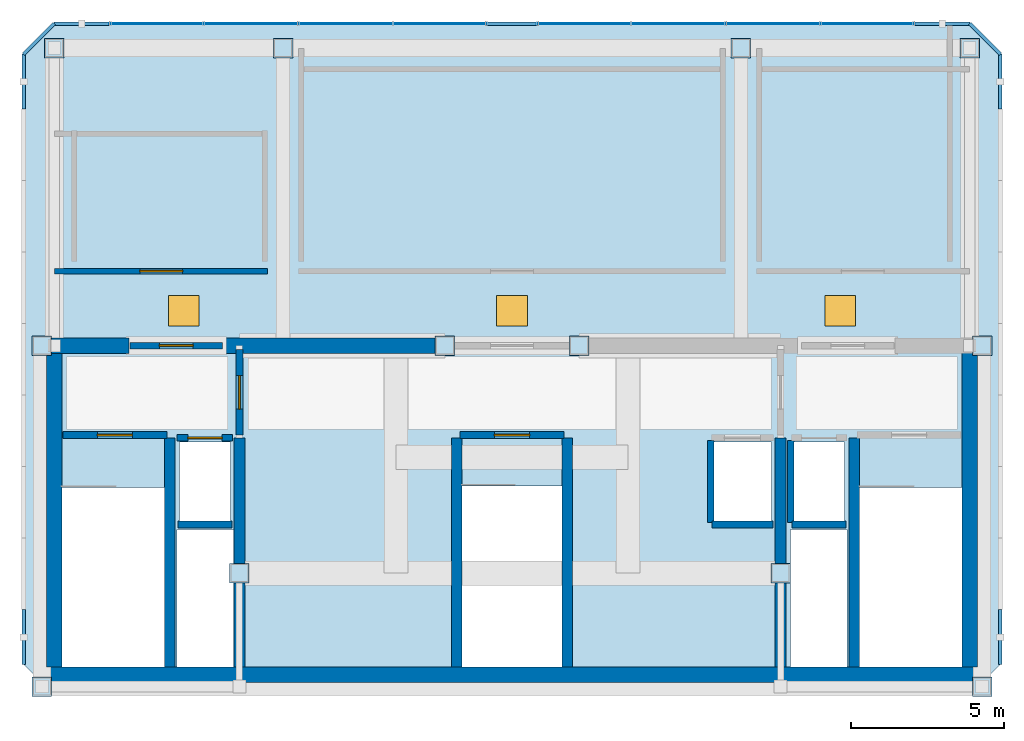
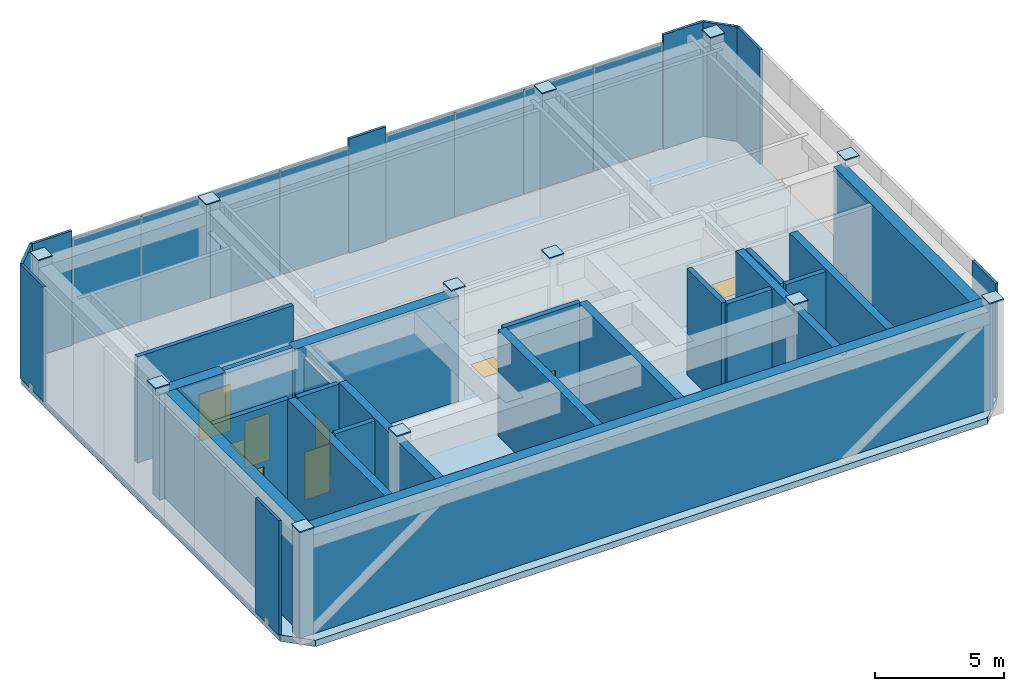
# One storey, part 7 of 9: 29 plates, 22 walls, 9 doors, 1 slab, 9 openings, 2 elements without a shape of their own.
"""IFC4 building model written with IfcOpenShell, lengths in metres."""

from ifc_helpers import new_model, si_unit, direction, frame, frame_2d, origin, origin_2d, place, context, subcontext, project, spatial, polyline, rectangle, outline, extrude, material, layer, layer_set, type_object, element, fill, aggregate, save


model = new_model("IFC4")

# Units and contexts
model_context = context("Model", 3, precision=1e-05, world=origin(), true_north=direction((0.0, 1.0)))
body_context = subcontext(model_context, "Body", "Model", "MODEL_VIEW")
ifc_project = project(units=[si_unit("LENGTHUNIT", "METRE"), si_unit("AREAUNIT", "SQUARE_METRE"), si_unit("VOLUMEUNIT", "CUBIC_METRE"), si_unit("PLANEANGLEUNIT", "RADIAN"), si_unit("MASSUNIT", "GRAM", prefix="KILO")], contexts=[model_context])

# Site, building, storey
site_placement = place(None, origin())
site = spatial("IfcSite", under=ifc_project, at=site_placement, CompositionType="ELEMENT")
building_placement = place(site_placement, origin())
building = spatial("IfcBuilding", under=site, at=building_placement, Name="Ventersveld Concourse Tower", CompositionType="ELEMENT")
storey_placement = place(building_placement, frame((0.0, 0.0, 388.25)))
storey = spatial("IfcBuildingStorey", under=building, at=storey_placement, Name="L94", CompositionType="ELEMENT", Elevation=388.25)

# Curtain wall, plates
ifc_material_1 = material(Name="Anodised aluminium EN AW-6063-T6", Category="aluminium")
curtain_wall_type = type_object("IfcCurtainWallType", Name="CW-CRN-6", PredefinedType="NOTDEFINED", material=ifc_material_1)
curtain_wall_1_placement = place(storey_placement, origin())
curtain_wall_1 = element("IfcCurtainWall", 1, at=curtain_wall_1_placement, inside=storey, type_object=curtain_wall_type, Name="L94 L94 Crown North Glazed Curtain Wall 1", PredefinedType="NOTDEFINED")
ifc_material_2 = material(Name="Low-E double glazing IGU", Category="glass")
ifc_layer_1 = layer(ifc_material_2, 0.02392578125)
ifc_layer_set_1 = layer_set([ifc_layer_1], Name="Low-E double glazing IGU")
plate_type_1 = type_object("IfcPlateType", Name="CWP-GLZ-24", PredefinedType="CURTAIN_PANEL", material=ifc_layer_set_1)
plate_1_placement = place(storey_placement, frame((40.39990234375, 22.0, 0.02001953125), z_axis=(0.0, 0.0, 1.0), x_axis=(-1.0, 0.0, 0.0)))
plate_1 = element("IfcPlate", 2, at=plate_1_placement, type_object=plate_type_1, Name="CW-L94-N1 Glazed Panel 01-1", PredefinedType="CURTAIN_PANEL", context=body_context, shape_type="SweptSolid", body=[
    extrude(rectangle(XDim=3.090087890625, YDim=0.02392578125, at=origin_2d()), origin(), (0.0, 0.0, 1.0), 4.9599609375),
])
plate_2_placement = place(storey_placement, frame((37.300048828125, 22.0, 0.02001953125), z_axis=(0.0, 0.0, 1.0), x_axis=(-1.0, 0.0, 0.0)))
plate_2 = element("IfcPlate", 3, at=plate_2_placement, type_object=plate_type_1, Name="CW-L94-N1 Glazed Panel 02-1", PredefinedType="CURTAIN_PANEL", context=body_context, shape_type="SweptSolid", body=[
    extrude(rectangle(XDim=3.090087890625, YDim=0.02392578125, at=origin_2d()), origin(), (0.0, 0.0, 1.0), 4.9599609375),
])
plate_3_placement = place(storey_placement, frame((34.199951171875, 22.0, 0.02001953125), z_axis=(0.0, 0.0, 1.0), x_axis=(-1.0, 0.0, 0.0)))
plate_3 = element("IfcPlate", 4, at=plate_3_placement, type_object=plate_type_1, Name="CW-L94-N1 Glazed Panel 03-1", PredefinedType="CURTAIN_PANEL", context=body_context, shape_type="SweptSolid", body=[
    extrude(rectangle(XDim=3.090087890625, YDim=0.02392578125, at=origin_2d()), origin(), (0.0, 0.0, 1.0), 4.9599609375),
])
plate_4_placement = place(storey_placement, frame((31.10009765625, 22.0, 0.02001953125), z_axis=(0.0, 0.0, 1.0), x_axis=(-1.0, 0.0, 0.0)))
plate_4 = element("IfcPlate", 5, at=plate_4_placement, type_object=plate_type_1, Name="CW-L94-N1 Glazed Panel 04-1", PredefinedType="CURTAIN_PANEL", context=body_context, shape_type="SweptSolid", body=[
    extrude(rectangle(XDim=3.090087890625, YDim=0.02392578125, at=origin_2d()), origin(), (0.0, 0.0, 1.0), 4.9599609375),
])
aggregate(curtain_wall_1, [plate_1, plate_2, plate_3, plate_4])

curtain_wall_2_placement = place(storey_placement, origin())
curtain_wall_2 = element("IfcCurtainWall", 6, at=curtain_wall_2_placement, inside=storey, type_object=curtain_wall_type, Name="L94 L94 Crown North Glazed Curtain Wall 2", PredefinedType="NOTDEFINED")
plate_5_placement = place(storey_placement, frame((26.39990234375, 22.0, 0.02001953125), z_axis=(0.0, 0.0, 1.0), x_axis=(-1.0, 0.0, 0.0)))
plate_5 = element("IfcPlate", 7, at=plate_5_placement, type_object=plate_type_1, Name="CW-L94-N2 Glazed Panel 01-1", PredefinedType="CURTAIN_PANEL", context=body_context, shape_type="SweptSolid", body=[
    extrude(rectangle(XDim=3.090087890625, YDim=0.02392578125, at=origin_2d()), origin(), (0.0, 0.0, 1.0), 4.9599609375),
])
plate_6_placement = place(storey_placement, frame((23.300048828125, 22.0, 0.02001953125), z_axis=(0.0, 0.0, 1.0), x_axis=(-1.0, 0.0, 0.0)))
plate_6 = element("IfcPlate", 8, at=plate_6_placement, type_object=plate_type_1, Name="CW-L94-N2 Glazed Panel 02-1", PredefinedType="CURTAIN_PANEL", context=body_context, shape_type="SweptSolid", body=[
    extrude(rectangle(XDim=3.090087890625, YDim=0.02392578125, at=origin_2d()), origin(), (0.0, 0.0, 1.0), 4.9599609375),
])
plate_7_placement = place(storey_placement, frame((20.199951171875, 22.0, 0.02001953125), z_axis=(0.0, 0.0, 1.0), x_axis=(-1.0, 0.0, 0.0)))
plate_7 = element("IfcPlate", 9, at=plate_7_placement, type_object=plate_type_1, Name="CW-L94-N2 Glazed Panel 03-1", PredefinedType="CURTAIN_PANEL", context=body_context, shape_type="SweptSolid", body=[
    extrude(rectangle(XDim=3.090087890625, YDim=0.02392578125, at=origin_2d()), origin(), (0.0, 0.0, 1.0), 4.9599609375),
])
plate_8_placement = place(storey_placement, frame((17.10009765625, 22.0, 0.02001953125), z_axis=(0.0, 0.0, 1.0), x_axis=(-1.0, 0.0, 0.0)))
plate_8 = element("IfcPlate", 10, at=plate_8_placement, type_object=plate_type_1, Name="CW-L94-N2 Glazed Panel 04-1", PredefinedType="CURTAIN_PANEL", context=body_context, shape_type="SweptSolid", body=[
    extrude(rectangle(XDim=3.090087890625, YDim=0.02392578125, at=origin_2d()), origin(), (0.0, 0.0, 1.0), 4.9599609375),
])
aggregate(curtain_wall_2, [plate_5, plate_6, plate_7, plate_8])

# Plates
ifc_material_3 = material(Name="Precast concrete C45/55", Category="concrete")
ifc_layer_2 = layer(ifc_material_3, 0.1201171875)
ifc_layer_set_2 = layer_set([ifc_layer_2], Name="Precast concrete C45/55")
plate_type_2 = type_object("IfcPlateType", Name="PL-CLAD-120", PredefinedType="SHEET", material=ifc_layer_set_2)
for number, where, z_axis, x_axis, name in (
    (11, (44.75, 1.89990234375, 0.0), (0.0, 0.0, 1.0), (0.0, 1.0, 0.0), "L94 Crown Precast Pier Cladding E3-P1"),
    (12, (44.75, 20.10009765625, 0.0), (0.0, 0.0, 1.0), (0.0, 1.0, 0.0), "L94 Crown Precast Pier Cladding E3-P2"),
):
    element("IfcPlate", number, at=place(storey_placement, frame(where, z_axis=z_axis, x_axis=x_axis)), inside=storey, type_object=plate_type_2, Name=name, PredefinedType="SHEET", context=body_context, shape_type="SweptSolid", body=[
        extrude(rectangle(XDim=1.800048828125, YDim=0.1201171875, at=origin_2d()), origin(), (0.0, 0.0, 1.0), 5.39990234375),
    ])
plate_9_placement = place(storey_placement, frame((44.25, 21.5, 0.0), z_axis=(0.0, 0.0, 1.0), x_axis=(-0.707106781187, 0.707106781187, 0.0)))
element("IfcPlate", 13, at=plate_9_placement, inside=storey, type_object=plate_type_2, Name="L94 Crown Chamfer Precast Cladding Sheet E4", PredefinedType="SHEET", context=body_context, shape_type="SweptSolid", body=[
    extrude(rectangle(XDim=1.414306640625, YDim=0.1201171875, at=origin_2d()), origin(), (0.0, 0.0, 1.0), 5.39990234375),
])
for number, where, z_axis, x_axis, name in (
    (14, (42.85009765625, 22.0, 0.0), (0.0, 0.0, 1.0), (-1.0, 0.0, 0.0), "L94 Crown Precast Pier Cladding E5-P1"),
    (15, (14.64990234375, 22.0, 0.0), (0.0, 0.0, 1.0), (-1.0, 0.0, 0.0), "L94 Crown Precast Pier Cladding E5-P2"),
):
    element("IfcPlate", number, at=place(storey_placement, frame(where, z_axis=z_axis, x_axis=x_axis)), inside=storey, type_object=plate_type_2, Name=name, PredefinedType="SHEET", context=body_context, shape_type="SweptSolid", body=[
        extrude(rectangle(XDim=1.800048828125, YDim=0.1201171875, at=origin_2d()), origin(), (0.0, 0.0, 1.0), 5.39990234375),
    ])
plate_10_placement = place(storey_placement, frame((28.75, 22.0, 0.0), z_axis=(0.0, 0.0, 1.0), x_axis=(-1.0, 0.0, 0.0)))
element("IfcPlate", 16, at=plate_10_placement, inside=storey, type_object=plate_type_2, Name="L94 Crown Central Cladding Pier", PredefinedType="SHEET", context=body_context, shape_type="SweptSolid", body=[
    extrude(rectangle(XDim=1.64990234375, YDim=0.1201171875, at=origin_2d()), origin(), (0.0, 0.0, 1.0), 5.39990234375),
])
plate_11_placement = place(storey_placement, frame((13.25, 21.5, 0.0), z_axis=(0.0, 0.0, 1.0), x_axis=(-0.707106781187, -0.707106781187, 0.0)))
element("IfcPlate", 17, at=plate_11_placement, inside=storey, type_object=plate_type_2, Name="L94 Crown Chamfer Precast Cladding Sheet E6", PredefinedType="SHEET", context=body_context, shape_type="SweptSolid", body=[
    extrude(rectangle(XDim=1.414306640625, YDim=0.1201171875, at=origin_2d()), origin(), (0.0, 0.0, 1.0), 5.39990234375),
])
for number, where, z_axis, x_axis, name in (
    (18, (12.75, 20.10009765625, 0.0), (0.0, 0.0, 1.0), (0.0, -1.0, 0.0), "L94 Crown Precast Pier Cladding E7-P1"),
    (19, (12.75, 1.89990234375, 0.0), (0.0, 0.0, 1.0), (0.0, -1.0, 0.0), "L94 Crown Precast Pier Cladding E7-P2"),
):
    element("IfcPlate", number, at=place(storey_placement, frame(where, z_axis=z_axis, x_axis=x_axis)), inside=storey, type_object=plate_type_2, Name=name, PredefinedType="SHEET", context=body_context, shape_type="SweptSolid", body=[
        extrude(rectangle(XDim=1.800048828125, YDim=0.1201171875, at=origin_2d()), origin(), (0.0, 0.0, 1.0), 5.39990234375),
    ])
ifc_material_4 = material(Name="Structural steel S355J2", Category="steel")
ifc_layer_3 = layer(ifc_material_4, 0.050048828125)
ifc_layer_set_3 = layer_set([ifc_layer_3], Name="Structural steel S355J2")
plate_type_3 = type_object("IfcPlateType", Name="PL-MAST-BASE-50", PredefinedType="USERDEFINED", material=ifc_layer_set_3)
for number, where, z_axis, x_axis, name in (
    (20, (13.35009765625, 0.280029296875, 5.35009765625), (0.0, 0.0, 1.0), (1.0, 0.0, 0.0), "L94 Hollow Column Steel End Cap Plate 041"),
    (21, (44.14990234375, 0.280029296875, 5.35009765625), (0.0, 0.0, 1.0), (1.0, 0.0, 0.0), "L94 Hollow Column Steel End Cap Plate 042"),
    (22, (13.35009765625, 11.449951171875, 5.35009765625), (0.0, 0.0, 1.0), (1.0, 0.0, 0.0), "L94 Hollow Column Steel End Cap Plate 043"),
    (23, (44.14990234375, 11.449951171875, 5.35009765625), (0.0, 0.0, 1.0), (1.0, 0.0, 0.0), "L94 Hollow Column Steel End Cap Plate 044"),
    (24, (19.820068359375, 4.0, 5.35009765625), (0.0, 0.0, 1.0), (1.0, 0.0, 0.0), "L94 Hollow Column Steel End Cap Plate 045"),
    (25, (37.550048828125, 4.0, 5.35009765625), (0.0, 0.0, 1.0), (1.0, 0.0, 0.0), "L94 Hollow Column Steel End Cap Plate 046"),
    (26, (26.550048828125, 11.449951171875, 5.35009765625), (0.0, 0.0, 1.0), (1.0, 0.0, 0.0), "L94 Hollow Column Steel End Cap Plate 047"),
    (27, (30.949951171875, 11.449951171875, 5.35009765625), (0.0, 0.0, 1.0), (1.0, 0.0, 0.0), "L94 Hollow Column Steel End Cap Plate 048"),
    (28, (13.75, 21.199951171875, 5.35009765625), (0.0, 0.0, 1.0), (1.0, 0.0, 0.0), "L94 Hollow Column Steel End Cap Plate 049"),
    (29, (21.25, 21.199951171875, 5.35009765625), (0.0, 0.0, 1.0), (1.0, 0.0, 0.0), "L94 Hollow Column Steel End Cap Plate 050"),
    (30, (36.25, 21.199951171875, 5.35009765625), (0.0, 0.0, 1.0), (1.0, 0.0, 0.0), "L94 Hollow Column Steel End Cap Plate 051"),
    (31, (43.75, 21.199951171875, 5.35009765625), (0.0, 0.0, 1.0), (1.0, 0.0, 0.0), "L94 Hollow Column Steel End Cap Plate 052"),
):
    element("IfcPlate", number, at=place(storey_placement, frame(where, z_axis=z_axis, x_axis=x_axis)), inside=storey, type_object=plate_type_3, Name=name, ObjectType="GUSSET_PLATE", PredefinedType="USERDEFINED", context=body_context, shape_type="SweptSolid", body=[
        extrude(rectangle(XDim=0.639892578125, YDim=0.639892578125, at=origin_2d()), origin(), (0.0, 0.0, 1.0), 0.050048828125),
    ])

# Slab, openings, doors
ifc_material_5 = material(Name="Concrete C50/60", Category="concrete")
ifc_layer_4 = layer(ifc_material_5, 0.300048828125)
ifc_layer_set_4 = layer_set([ifc_layer_4], Name="Concrete C50/60")
slab_type = type_object("IfcSlabType", Name="SL-FLR-300", PredefinedType="FLOOR", material=ifc_layer_set_4)
slab_placement = place(storey_placement, frame((0.0, 0.0, -0.300048828125)))
slab = element("IfcSlab", 32, at=slab_placement, inside=storey, type_object=slab_type, Name="L94 Composite Floor Slab", PredefinedType="FLOOR", context=body_context, shape_type="SweptSolid", body=[
    extrude(outline(polyline([(13.75, 0.0), (43.75, 0.0), (44.75, 1.0), (44.75, 21.0), (43.75, 22.0), (13.75, 22.0), (12.75, 21.0), (12.75, 1.0), (13.75, 0.0)]), holes=[polyline([(13.97998046875, 6.794921875), (13.97998046875, 0.89990234375), (17.3798828125, 0.89990234375), (17.3798828125, 6.794921875), (13.97998046875, 6.794921875)]), polyline([(40.1201171875, 6.794921875), (40.1201171875, 0.89990234375), (43.52001953125, 0.89990234375), (43.52001953125, 6.794921875), (40.1201171875, 6.794921875)]), polyline([(27.10009765625, 6.844970703125), (27.10009765625, 0.89990234375), (30.39990234375, 0.89990234375), (30.39990234375, 6.844970703125), (27.10009765625, 6.844970703125)]), polyline([(17.85009765625, 5.699951171875), (19.530029296875, 5.699951171875), (19.530029296875, 8.300048828125), (17.85009765625, 8.300048828125), (17.85009765625, 5.699951171875)]), polyline([(37.969970703125, 5.699951171875), (39.64990234375, 5.699951171875), (39.64990234375, 8.300048828125), (37.969970703125, 8.300048828125), (37.969970703125, 5.699951171875)]), polyline([(35.35009765625, 5.699951171875), (37.25, 5.699951171875), (37.25, 8.300048828125), (35.35009765625, 8.300048828125), (35.35009765625, 5.699951171875)]), polyline([(17.780029296875, 0.919921875), (19.6201171875, 0.919921875), (19.6201171875, 5.419921875), (17.780029296875, 5.419921875), (17.780029296875, 0.919921875)]), polyline([(37.8798828125, 0.919921875), (39.719970703125, 0.919921875), (39.719970703125, 5.419921875), (37.8798828125, 5.419921875), (37.8798828125, 0.919921875)])]), origin(), (0.0, 0.0, 1.0), 0.300048828125),
])
opening_1_placement = place(slab_placement, frame((18.0, 12.60009765625, -0.010009765625)))
opening_1 = element("IfcOpeningElement", 33, at=opening_1_placement, cuts=slab, Name="Opening RH1", PredefinedType="OPENING", context=body_context, shape_type="SweptSolid", body=[
    extrude(rectangle(XDim=1.0, YDim=1.0, at=origin_2d()), origin(), (0.0, 0.0, 1.0), 0.320068359375),
])
opening_2_placement = place(slab_placement, frame((28.75, 12.60009765625, -0.010009765625)))
opening_2 = element("IfcOpeningElement", 34, at=opening_2_placement, cuts=slab, Name="Opening RH1", PredefinedType="OPENING", context=body_context, shape_type="SweptSolid", body=[
    extrude(rectangle(XDim=1.0, YDim=1.0, at=origin_2d()), origin(), (0.0, 0.0, 1.0), 0.320068359375),
])
opening_3_placement = place(slab_placement, frame((39.5, 12.60009765625, -0.010009765625)))
opening_3 = element("IfcOpeningElement", 35, at=opening_3_placement, cuts=slab, Name="Opening RH1", PredefinedType="OPENING", context=body_context, shape_type="SweptSolid", body=[
    extrude(rectangle(XDim=1.0, YDim=1.0, at=origin_2d()), origin(), (0.0, 0.0, 1.0), 0.320068359375),
])
ifc_material_6 = material(Name="Galvanised painted steel", Category="steel")
door_type_1 = type_object("IfcDoorType", Name="HT-ROOF-100", OperationType="SINGLE_SWING_LEFT", PredefinedType="TRAPDOOR", material=ifc_material_6)
door_1_placement = place(slab_placement, frame((18.0, 12.60009765625, 0.25)))
door_1 = element("IfcDoor", 36, at=door_1_placement, inside=storey, type_object=door_type_1, Name="L94 Roof Maintenance Access Hatch RH-04", OperationType="SINGLE_SWING_LEFT", OverallHeight=1.0, OverallWidth=1.0, PredefinedType="TRAPDOOR", context=body_context, shape_type="SweptSolid", body=[
    extrude(rectangle(XDim=1.0, YDim=1.0, at=origin_2d()), origin(), (0.0, 0.0, 1.0), 0.050048828125),
])
fill(opening_1, door_1)
door_2_placement = place(slab_placement, frame((28.75, 12.60009765625, 0.25)))
door_2 = element("IfcDoor", 37, at=door_2_placement, inside=storey, type_object=door_type_1, Name="L94 Roof Maintenance Access Hatch RH-05", OperationType="SINGLE_SWING_LEFT", OverallHeight=1.0, OverallWidth=1.0, PredefinedType="TRAPDOOR", context=body_context, shape_type="SweptSolid", body=[
    extrude(rectangle(XDim=1.0, YDim=1.0, at=origin_2d()), origin(), (0.0, 0.0, 1.0), 0.050048828125),
])
fill(opening_2, door_2)
door_3_placement = place(slab_placement, frame((39.5, 12.60009765625, 0.25)))
door_3 = element("IfcDoor", 38, at=door_3_placement, inside=storey, type_object=door_type_1, Name="L94 Roof Maintenance Access Hatch RH-06", OperationType="SINGLE_SWING_LEFT", OverallHeight=1.0, OverallWidth=1.0, PredefinedType="TRAPDOOR", context=body_context, shape_type="SweptSolid", body=[
    extrude(rectangle(XDim=1.0, YDim=1.0, at=origin_2d()), origin(), (0.0, 0.0, 1.0), 0.050048828125),
])
fill(opening_3, door_3)

# Walls
ifc_layer_5 = layer(ifc_material_5, 0.35009765625)
ifc_layer_set_5 = layer_set([ifc_layer_5], Name="Concrete C50/60")
wall_type_1 = type_object("IfcWallType", Name="WL-CORE-350U", PredefinedType="SHEAR", material=ifc_layer_set_5)
for number, where, z_axis, x_axis, name in (
    (39, (17.5400390625, 0.919921875, 0.0), (0.0, 0.0, 1.0), (0.0, 1.0, 0.0), "L94 Core Internal Shear Web W-ST1-E"),
    (40, (19.820068359375, 0.919921875, 0.0), (0.0, 0.0, 1.0), (0.0, 1.0, 0.0), "L94 Core Internal Shear Web W-FF1-E"),
    (41, (26.93994140625, 0.919921875, 0.0), (0.0, 0.0, 1.0), (0.0, 1.0, 0.0), "L94 Core Internal Shear Web W-ST3-W"),
    (42, (30.56005859375, 0.919921875, 0.0), (0.0, 0.0, 1.0), (0.0, 1.0, 0.0), "L94 Core Internal Shear Web W-ST3-E"),
    (43, (37.550048828125, 0.919921875, 0.0), (0.0, 0.0, 1.0), (0.0, 1.0, 0.0), "L94 Core Internal Shear Web W-SVL-W"),
    (44, (39.9599609375, 0.919921875, 0.0), (0.0, 0.0, 1.0), (0.0, 1.0, 0.0), "L94 Core Internal Shear Web W-ST2-W"),
):
    element("IfcWall", number, at=place(storey_placement, frame(where, z_axis=z_axis, x_axis=x_axis)), inside=storey, type_object=wall_type_1, Name=name, PredefinedType="SHEAR", context=body_context, shape_type="SweptSolid", body=[
        extrude(rectangle(XDim=7.5, YDim=0.35009765625, at=frame_2d((3.75, 0.0))), origin(), (0.0, 0.0, 1.0), 5.0),
    ])
ifc_layer_6 = layer(ifc_material_5, 0.5)
ifc_layer_set_6 = layer_set([ifc_layer_6], Name="Concrete C50/60")
wall_type_2 = type_object("IfcWallType", Name="WL-CORE-500", PredefinedType="SHEAR", material=ifc_layer_set_6)
wall_1_placement = place(storey_placement, frame((13.25, 0.669921875, 0.0), z_axis=(0.0, 0.0, 1.0), x_axis=(1.0, 0.0, 0.0)))
element("IfcWall", 45, at=wall_1_placement, inside=storey, type_object=wall_type_2, Name="L94 Rear Core South Shear Wall", PredefinedType="SHEAR", context=body_context, shape_type="SweptSolid", body=[
    extrude(rectangle(XDim=31.0, YDim=0.5, at=frame_2d((15.5, 0.0))), origin(), (0.0, 0.0, 1.0), 5.0),
])
for number, where, z_axis, x_axis, name in (
    (46, (13.75, 0.919921875, 0.0), (0.0, 0.0, 1.0), (0.0, 1.0, 0.0), "L94 Rear Core West Shear Wall"),
    (47, (43.75, 0.919921875, 0.0), (0.0, 0.0, 1.0), (0.0, 1.0, 0.0), "L94 Rear Core East Shear Wall"),
):
    element("IfcWall", number, at=place(storey_placement, frame(where, z_axis=z_axis, x_axis=x_axis)), inside=storey, type_object=wall_type_2, Name=name, PredefinedType="SHEAR", context=body_context, shape_type="SweptSolid", body=[
        extrude(rectangle(XDim=10.530029296875, YDim=0.5, at=frame_2d((5.26513671875, 0.0))), origin(), (0.0, 0.0, 1.0), 5.0),
    ])
wall_2_placement = place(storey_placement, frame((13.25, 11.449951171875, 0.0), z_axis=(0.0, 0.0, 1.0), x_axis=(1.0, 0.0, 0.0)))
element("IfcWall", 48, at=wall_2_placement, inside=storey, type_object=wall_type_2, Name="L94 Rear Core North Shear Wall NW", PredefinedType="SHEAR", context=body_context, shape_type="SweptSolid", body=[
    extrude(rectangle(XDim=2.949951171875, YDim=0.5, at=frame_2d((1.47509765625, 0.0))), origin(), (0.0, 0.0, 1.0), 5.0),
])
wall_3_placement = place(storey_placement, frame((19.300048828125, 11.449951171875, 0.0), z_axis=(0.0, 0.0, 1.0), x_axis=(1.0, 0.0, 0.0)))
element("IfcWall", 49, at=wall_3_placement, inside=storey, type_object=wall_type_2, Name="L94 Rear Core North Shear Wall NML", PredefinedType="SHEAR", context=body_context, shape_type="SweptSolid", body=[
    extrude(rectangle(XDim=7.300048828125, YDim=0.5, at=frame_2d((3.64990234375, 0.0))), origin(), (0.0, 0.0, 1.0), 5.0),
])

# Wall, opening, door
ifc_material_7 = material(Name="Fire-rated autoclaved aerated masonry blockwork", Category="masonry")
ifc_layer_7 = layer(ifc_material_7, 0.179931640625)
ifc_layer_set_7 = layer_set([ifc_layer_7], Name="Fire-rated autoclaved aerated masonry blockwork")
wall_type_3 = type_object("IfcWallType", Name="WL-CORR-180", PredefinedType="PARTITIONING", material=ifc_layer_set_7)
wall_4_placement = place(storey_placement, frame((13.76806640625, 13.889892578125, 0.0), z_axis=(0.0, 0.0, 1.0), x_axis=(1.0, 0.0, 0.0)))
wall_4 = element("IfcWall", 50, at=wall_4_placement, inside=storey, type_object=wall_type_3, Name="L94 Interior Partition SP-L94-PCOR-SP-L94-TX", PredefinedType="PARTITIONING", context=body_context, shape_type="SweptSolid", body=[
    extrude(rectangle(XDim=6.97705078125, YDim=0.179931640625, at=frame_2d((3.488525390625, 0.0))), origin(), (0.0, 0.0, 1.0), 5.0),
])
opening_4_placement = place(wall_4_placement, frame((2.78857421875, 0.0, 0.0)))
opening_4 = element("IfcOpeningElement", 51, at=opening_4_placement, cuts=wall_4, Name="Opening FD4", PredefinedType="OPENING", context=body_context, shape_type="SweptSolid", body=[
    extrude(rectangle(XDim=1.39990234375, YDim=2.199951171875, at=frame_2d((0.699951171875, 1.10009765625))), frame((0.0, 0.10009765625, 0.0), z_axis=(0.0, -1.0, 0.0), x_axis=(1.0, 0.0, 0.0)), (0.0, 0.0, 1.0), 0.199951171875),
])
door_type_2 = type_object("IfcDoorType", Name="DR-PLANT-140", OperationType="DOUBLE_DOOR_SINGLE_SWING", PredefinedType="DOOR", material=ifc_material_6)
door_4_placement = place(opening_4_placement, origin())
door_4 = element("IfcDoor", 52, at=door_4_placement, inside=storey, type_object=door_type_2, Name="L94 Interior Door SP-L94-PCOR to SP-L94-TX (FD-L94-4015)", OperationType="DOUBLE_DOOR_SINGLE_SWING", OverallHeight=2.199951171875, OverallWidth=1.39990234375, PredefinedType="DOOR", context=body_context, shape_type="SweptSolid", body=[
    extrude(rectangle(XDim=1.39990234375, YDim=2.199951171875, at=frame_2d((0.699951171875, 1.10009765625))), frame((0.0, 0.02490234375, 0.0), z_axis=(0.0, -1.0, 0.0), x_axis=(1.0, 0.0, 0.0)), (0.0, 0.0, 1.0), 0.050048828125),
])
fill(opening_4, door_4)

# Wall
ifc_layer_8 = layer(ifc_material_7, 0.219970703125)
ifc_layer_set_8 = layer_set([ifc_layer_8], Name="Fire-rated autoclaved aerated masonry blockwork")
wall_type_4 = type_object("IfcWallType", Name="WL-HOIST-220", PredefinedType="SOLIDWALL", material=ifc_layer_set_8)
wall_5_placement = place(storey_placement, frame((17.800048828125, 5.590087890625, 0.0), z_axis=(0.0, 0.0, 1.0), x_axis=(1.0, 0.0, 0.0)))
element("IfcWall", 53, at=wall_5_placement, inside=storey, type_object=wall_type_4, Name="L94 Lift Hoistway Back Wall FFL-01", PredefinedType="SOLIDWALL", context=body_context, shape_type="SweptSolid", body=[
    extrude(rectangle(XDim=1.780029296875, YDim=0.219970703125, at=frame_2d((0.89013671875, 0.0))), origin(), (0.0, 0.0, 1.0), 5.0),
])

# Wall, opening, door
wall_6_placement = place(storey_placement, frame((17.780029296875, 8.429931640625, 0.0), z_axis=(0.0, 0.0, 1.0), x_axis=(1.0, 0.0, 0.0)))
wall_6 = element("IfcWall", 54, at=wall_6_placement, inside=storey, type_object=wall_type_4, Name="L94 Lift Hoistway Front Wall FFL-01", PredefinedType="SOLIDWALL", context=body_context, shape_type="SweptSolid", body=[
    extrude(rectangle(XDim=1.820068359375, YDim=0.219970703125, at=frame_2d((0.91015625, 0.0))), origin(), (0.0, 0.0, 1.0), 5.0),
])
opening_5_placement = place(wall_6_placement, frame((0.35009765625, 0.0, 0.0)))
opening_5 = element("IfcOpeningElement", 55, at=opening_5_placement, cuts=wall_6, Name="Opening LD1", PredefinedType="OPENING", context=body_context, shape_type="SweptSolid", body=[
    extrude(rectangle(XDim=1.1201171875, YDim=2.25, at=frame_2d((0.56005859375, 1.125))), frame((0.0, 0.1201171875, 0.0), z_axis=(0.0, -1.0, 0.0), x_axis=(1.0, 0.0, 0.0)), (0.0, 0.0, 1.0), 0.239990234375),
])
ifc_material_8 = material(Name="Brushed stainless steel 316", Category="steel")
door_type_3 = type_object("IfcDoorType", Name="LD-FF-112", OperationType="SLIDING_TO_LEFT", PredefinedType="DOOR", material=ifc_material_8)
door_5_placement = place(opening_5_placement, origin())
door_5 = element("IfcDoor", 56, at=door_5_placement, inside=storey, type_object=door_type_3, Name="L94 Lift landing door FFL-01 (LD-L94-FFL-01)", OperationType="SLIDING_TO_RIGHT", OverallHeight=2.25, OverallWidth=1.1201171875, PredefinedType="DOOR", context=body_context, shape_type="SweptSolid", body=[
    extrude(rectangle(XDim=1.1201171875, YDim=2.25, at=frame_2d((0.56005859375, 1.125))), frame((0.0, 0.02490234375, 0.0), z_axis=(0.0, -1.0, 0.0), x_axis=(1.0, 0.0, 0.0)), (0.0, 0.0, 1.0), 0.050048828125),
])
fill(opening_5, door_5)

# Walls
wall_7_placement = place(storey_placement, frame((37.919921875, 5.590087890625, 0.0), z_axis=(0.0, 0.0, 1.0), x_axis=(1.0, 0.0, 0.0)))
element("IfcWall", 57, at=wall_7_placement, inside=storey, type_object=wall_type_4, Name="L94 Lift Hoistway Back Wall FFL-02", PredefinedType="SOLIDWALL", context=body_context, shape_type="SweptSolid", body=[
    extrude(rectangle(XDim=1.780029296875, YDim=0.219970703125, at=frame_2d((0.89013671875, 0.0))), origin(), (0.0, 0.0, 1.0), 5.0),
])
wall_8_placement = place(storey_placement, frame((37.8798828125, 5.64990234375, 0.0), z_axis=(0.0, 0.0, 1.0), x_axis=(0.0, 1.0, 0.0)))
element("IfcWall", 58, at=wall_8_placement, inside=storey, type_object=wall_type_4, Name="L94 Lift Hoistway Side Wall FFL-02W", PredefinedType="SOLIDWALL", context=body_context, shape_type="SweptSolid", body=[
    extrude(rectangle(XDim=2.7001953125, YDim=0.219970703125, at=frame_2d((1.35009765625, 0.0))), origin(), (0.0, 0.0, 1.0), 5.0),
])
wall_9_placement = place(storey_placement, frame((35.300048828125, 5.590087890625, 0.0), z_axis=(0.0, 0.0, 1.0), x_axis=(1.0, 0.0, 0.0)))
element("IfcWall", 59, at=wall_9_placement, inside=storey, type_object=wall_type_4, Name="L94 Lift Hoistway Back Wall SVL-01", PredefinedType="SOLIDWALL", context=body_context, shape_type="SweptSolid", body=[
    extrude(rectangle(XDim=2.0, YDim=0.219970703125, at=frame_2d((1.0, 0.0))), origin(), (0.0, 0.0, 1.0), 5.0),
])
wall_10_placement = place(storey_placement, frame((35.260009765625, 5.64990234375, 0.0), z_axis=(0.0, 0.0, 1.0), x_axis=(0.0, 1.0, 0.0)))
element("IfcWall", 60, at=wall_10_placement, inside=storey, type_object=wall_type_4, Name="L94 Lift Hoistway Side Wall SVL-01W", PredefinedType="SOLIDWALL", context=body_context, shape_type="SweptSolid", body=[
    extrude(rectangle(XDim=2.7001953125, YDim=0.219970703125, at=frame_2d((1.35009765625, 0.0))), origin(), (0.0, 0.0, 1.0), 5.0),
])

# Wall, opening, door
wall_11_placement = place(storey_placement, frame((14.0400390625, 8.52001953125, 0.0), z_axis=(0.0, 0.0, 1.0), x_axis=(1.0, 0.0, 0.0)))
wall_11 = element("IfcWall", 61, at=wall_11_placement, inside=storey, type_object=wall_type_4, Name="L94 Escape Stair ST01 Fire Wall", PredefinedType="SOLIDWALL", context=body_context, shape_type="SweptSolid", body=[
    extrude(rectangle(XDim=3.39990234375, YDim=0.219970703125, at=frame_2d((1.699951171875, 0.0))), origin(), (0.0, 0.0, 1.0), 5.0),
])
opening_6_placement = place(wall_11_placement, frame((1.125, 0.0, 0.0)))
opening_6 = element("IfcOpeningElement", 62, at=opening_6_placement, cuts=wall_11, Name="Opening FD1", PredefinedType="OPENING", context=body_context, shape_type="SweptSolid", body=[
    extrude(rectangle(XDim=1.14990234375, YDim=2.199951171875, at=frame_2d((0.574951171875, 1.10009765625))), frame((0.0, 0.1201171875, 0.0), z_axis=(0.0, -1.0, 0.0), x_axis=(1.0, 0.0, 0.0)), (0.0, 0.0, 1.0), 0.239990234375),
])
door_type_4 = type_object("IfcDoorType", Name="DR-STAIR-115", OperationType="NOTDEFINED", PredefinedType="DOOR", material=ifc_material_6)
door_6_placement = place(opening_6_placement, origin())
door_6 = element("IfcDoor", 63, at=door_6_placement, inside=storey, type_object=door_type_4, Name="L94 Escape Stair Door ST01 (SD-L94-4007)", OperationType="SINGLE_SWING_LEFT", OverallHeight=2.199951171875, OverallWidth=1.14990234375, PredefinedType="DOOR", context=body_context, shape_type="SweptSolid", body=[
    extrude(rectangle(XDim=1.14990234375, YDim=2.199951171875, at=frame_2d((0.574951171875, 1.10009765625))), frame((0.0, 0.02490234375, 0.0), z_axis=(0.0, -1.0, 0.0), x_axis=(1.0, 0.0, 0.0)), (0.0, 0.0, 1.0), 0.050048828125),
])
fill(opening_6, door_6)

wall_12_placement = place(storey_placement, frame((27.0400390625, 8.52001953125, 0.0), z_axis=(0.0, 0.0, 1.0), x_axis=(1.0, 0.0, 0.0)))
wall_12 = element("IfcWall", 64, at=wall_12_placement, inside=storey, type_object=wall_type_4, Name="L94 Escape Stair ST03 Fire Wall", PredefinedType="SOLIDWALL", context=body_context, shape_type="SweptSolid", body=[
    extrude(rectangle(XDim=3.419921875, YDim=0.219970703125, at=frame_2d((1.7099609375, 0.0))), origin(), (0.0, 0.0, 1.0), 5.0),
])
opening_7_placement = place(wall_12_placement, frame((1.135009765625, 0.0, 0.0)))
opening_7 = element("IfcOpeningElement", 65, at=opening_7_placement, cuts=wall_12, Name="Opening FD1", PredefinedType="OPENING", context=body_context, shape_type="SweptSolid", body=[
    extrude(rectangle(XDim=1.14990234375, YDim=2.199951171875, at=frame_2d((0.574951171875, 1.10009765625))), frame((0.0, 0.1201171875, 0.0), z_axis=(0.0, -1.0, 0.0), x_axis=(1.0, 0.0, 0.0)), (0.0, 0.0, 1.0), 0.239990234375),
])
door_7_placement = place(opening_7_placement, origin())
door_7 = element("IfcDoor", 66, at=door_7_placement, inside=storey, type_object=door_type_4, Name="L94 Escape Stair Door ST03 (SD-L94-4009)", OperationType="SINGLE_SWING_LEFT", OverallHeight=2.199951171875, OverallWidth=1.14990234375, PredefinedType="DOOR", context=body_context, shape_type="SweptSolid", body=[
    extrude(rectangle(XDim=1.14990234375, YDim=2.199951171875, at=frame_2d((0.574951171875, 1.10009765625))), frame((0.0, 0.02490234375, 0.0), z_axis=(0.0, -1.0, 0.0), x_axis=(1.0, 0.0, 0.0)), (0.0, 0.0, 1.0), 0.050048828125),
])
fill(opening_7, door_7)

wall_13_placement = place(storey_placement, frame((19.820068359375, 8.52001953125, 0.0), z_axis=(0.0, 0.0, 1.0), x_axis=(0.0, 1.0, 0.0)))
wall_13 = element("IfcWall", 67, at=wall_13_placement, inside=storey, type_object=wall_type_4, Name="L94 Firefighting Lobby Smoke-Stop Wall FFLW-SEP", PredefinedType="SOLIDWALL", context=body_context, shape_type="SweptSolid", body=[
    extrude(rectangle(XDim=2.800048828125, YDim=0.219970703125, at=frame_2d((1.39990234375, 0.0))), origin(), (0.0, 0.0, 1.0), 4.45556640625),
])
opening_8_placement = place(wall_13_placement, frame((0.85009765625, 0.0, 0.0)))
opening_8 = element("IfcOpeningElement", 68, at=opening_8_placement, cuts=wall_13, Name="Opening FD2", PredefinedType="OPENING", context=body_context, shape_type="SweptSolid", body=[
    extrude(rectangle(XDim=1.10009765625, YDim=2.199951171875, at=frame_2d((0.550048828125, 1.10009765625))), frame((0.0, 0.1201171875, 0.0), z_axis=(0.0, -1.0, 0.0), x_axis=(1.0, 0.0, 0.0)), (0.0, 0.0, 1.0), 0.239990234375),
])
door_type_5 = type_object("IfcDoorType", Name="DR-FFL-110", OperationType="NOTDEFINED", PredefinedType="DOOR", material=ifc_material_6)
door_8_placement = place(opening_8_placement, origin())
door_8 = element("IfcDoor", 69, at=door_8_placement, inside=storey, type_object=door_type_5, Name="L94 Firefighting Lobby Door FFLW-SEP (FD-L94-4010)", OperationType="SINGLE_SWING_LEFT", OverallHeight=2.199951171875, OverallWidth=1.10009765625, PredefinedType="DOOR", context=body_context, shape_type="SweptSolid", body=[
    extrude(rectangle(XDim=1.10009765625, YDim=2.199951171875, at=frame_2d((0.550048828125, 1.10009765625))), frame((0.0, 0.02490234375, 0.0), z_axis=(0.0, -1.0, 0.0), x_axis=(1.0, 0.0, 0.0)), (0.0, 0.0, 1.0), 0.050048828125),
])
fill(opening_8, door_8)

wall_14_placement = place(storey_placement, frame((16.22998046875, 11.449951171875, 0.0), z_axis=(0.0, 0.0, 1.0), x_axis=(1.0, 0.0, 0.0)))
wall_14 = element("IfcWall", 70, at=wall_14_placement, inside=storey, type_object=wall_type_4, Name="L94 Core North Fire Portal FFLW-OUT", PredefinedType="SOLIDWALL", context=body_context, shape_type="SweptSolid", body=[
    extrude(rectangle(XDim=3.0400390625, YDim=0.219970703125, at=frame_2d((1.52001953125, 0.0))), origin(), (0.0, 0.0, 1.0), 5.0),
])
opening_9_placement = place(wall_14_placement, frame((0.969970703125, 0.0, 0.0)))
opening_9 = element("IfcOpeningElement", 71, at=opening_9_placement, cuts=wall_14, Name="Opening FD2", PredefinedType="OPENING", context=body_context, shape_type="SweptSolid", body=[
    extrude(rectangle(XDim=1.10009765625, YDim=2.199951171875, at=frame_2d((0.550048828125, 1.10009765625))), frame((0.0, 0.1201171875, 0.0), z_axis=(0.0, -1.0, 0.0), x_axis=(1.0, 0.0, 0.0)), (0.0, 0.0, 1.0), 0.239990234375),
])
door_9_placement = place(opening_9_placement, origin())
door_9 = element("IfcDoor", 72, at=door_9_placement, inside=storey, type_object=door_type_5, Name="L94 Core Lobby Fire Door FFLW-OUT (FD-L94-4012)", OperationType="SINGLE_SWING_RIGHT", OverallHeight=2.199951171875, OverallWidth=1.10009765625, PredefinedType="DOOR", context=body_context, shape_type="SweptSolid", body=[
    extrude(rectangle(XDim=1.10009765625, YDim=2.199951171875, at=frame_2d((0.550048828125, 1.10009765625))), frame((0.0, 0.02490234375, 0.0), z_axis=(0.0, -1.0, 0.0), x_axis=(1.0, 0.0, 0.0)), (0.0, 0.0, 1.0), 0.050048828125),
])
fill(opening_9, door_9)

save(model, "model.ifc")
